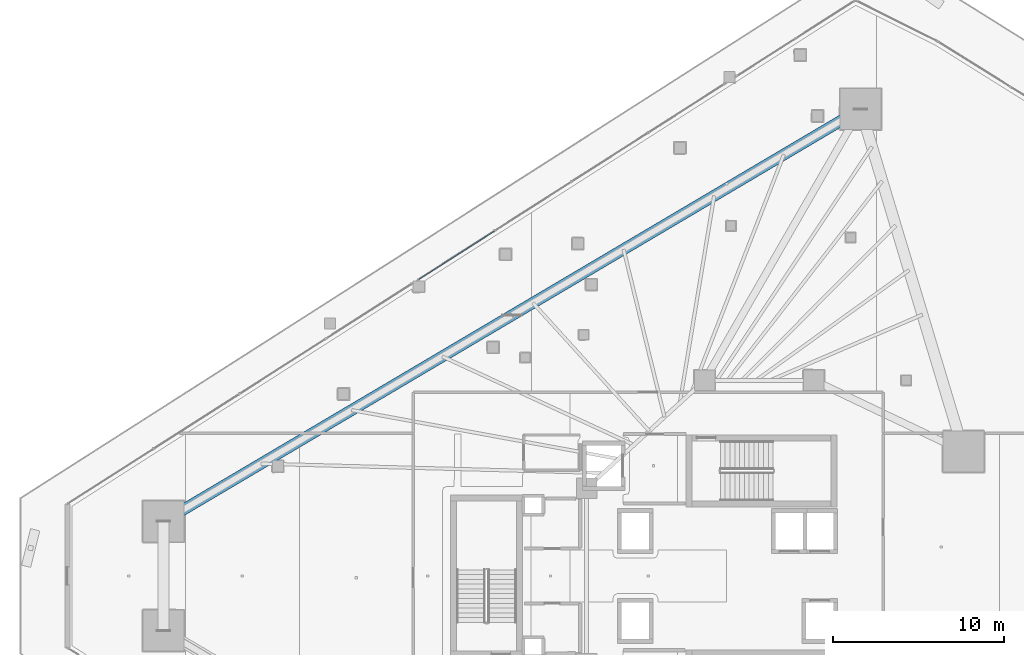
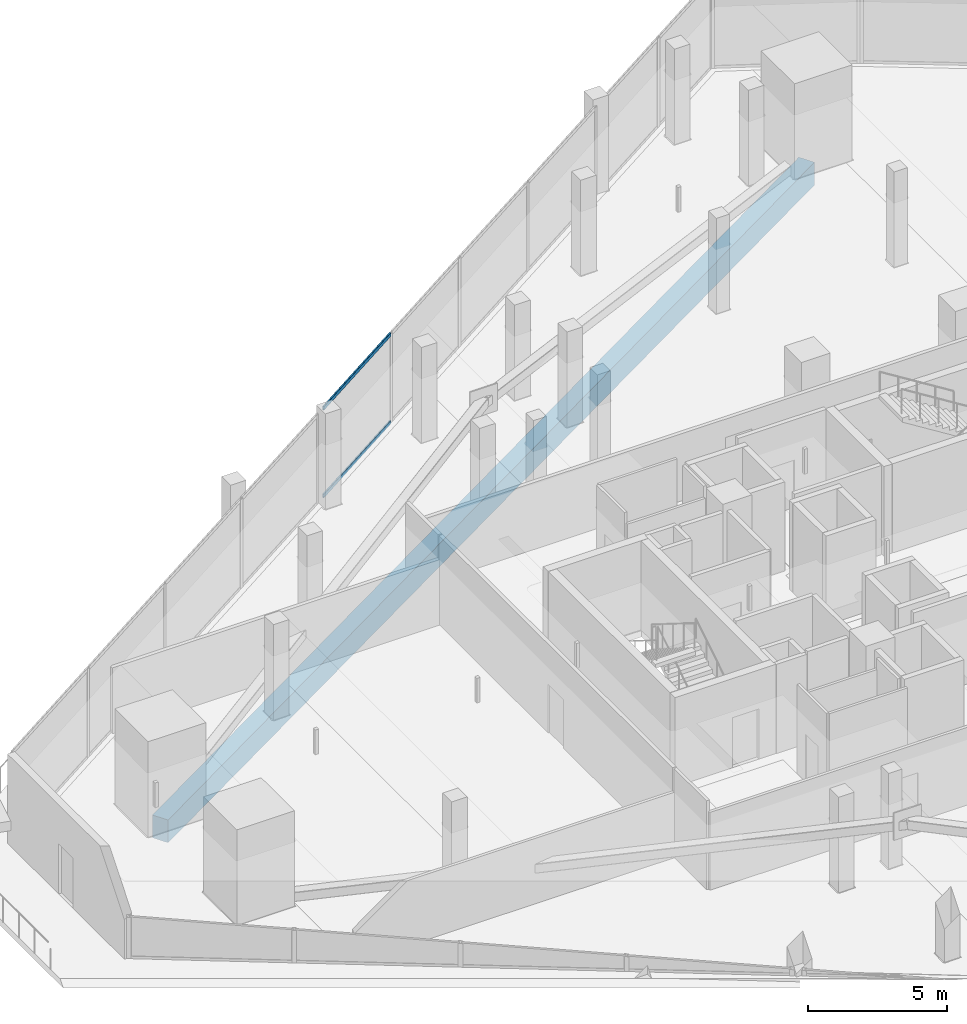
# One storey, part 17 of 43: 2 members, 1 beam, 1 element without a shape of its own.
"""IFC4 building model written with IfcOpenShell, lengths in metres."""

from ifc_helpers import new_model, si_unit, direction, frame, origin, origin_2d, place, context, subcontext, project, spatial, rectangle, hollow_rectangle, extrude, material, layer, layer_set, material_profile, profile_set, type_object, element, aggregate, save


model = new_model("IFC4")

# Units and contexts
model_context = context("Model", 3, precision=1e-05, world=origin(), true_north=direction((0.0, 1.0)))
body_context = subcontext(model_context, "Body", "Model", "MODEL_VIEW")
ifc_project = project(units=[si_unit("LENGTHUNIT", "METRE"), si_unit("AREAUNIT", "SQUARE_METRE"), si_unit("VOLUMEUNIT", "CUBIC_METRE"), si_unit("PLANEANGLEUNIT", "RADIAN"), si_unit("MASSUNIT", "GRAM", prefix="KILO")], contexts=[model_context])

# Site, building, storey
site_placement = place(None, origin())
site = spatial("IfcSite", under=ifc_project, at=site_placement, CompositionType="ELEMENT")
building_placement = place(site_placement, origin())
building = spatial("IfcBuilding", under=site, at=building_placement, Name="Qorvath Tower", CompositionType="ELEMENT")
storey_placement = place(building_placement, frame((0.0, 0.0, 36.60009765625)))
storey = spatial("IfcBuildingStorey", under=building, at=storey_placement, Name="L07", CompositionType="ELEMENT", Elevation=36.60009765625)

# Beam
ifc_material_1 = material(Name="Concrete C50/60", Category="concrete")
ifc_material_profile_1 = material_profile(ifc_material_1, rectangle(XDim=0.64990234375, YDim=1.0, at=origin_2d()), Name="RCB 1000x650")
ifc_profile_set_1 = profile_set([ifc_material_profile_1], Name="Concrete C50/60")
beam_type = type_object("IfcBeamType", Name="BM-RCB1", PredefinedType="SPANDREL", material=ifc_profile_set_1)
beam_placement = place(storey_placement, frame((-14.46435546875, 27.330810546875, -0.780029296875), z_axis=(-0.860777360917, -0.508981664633, 0.0), x_axis=(0.508981664633, -0.860777360917, 0.0)))
element("IfcBeam", 1, at=beam_placement, inside=storey, type_object=beam_type, Name="Perimeter Loggia Frame Beam MC6-MC1 L07", PredefinedType="SPANDREL", context=body_context, shape_type="SweptSolid", body=[
    extrude(rectangle(XDim=0.64990234375, YDim=1.0, at=origin_2d()), origin(), (0.0, 0.0, 1.0), 47.420654296875),
])

# Curtain wall, members
ifc_material_2 = material(Name="Anodised aluminium and triple low-E glass", Category="aluminium")
ifc_layer = layer(ifc_material_2, 0.179931640625)
ifc_layer_set = layer_set([ifc_layer], Name="CW-SYS-2")
curtain_wall_type = type_object("IfcCurtainWallType", Name="CW-SYS-2", PredefinedType="NOTDEFINED", material=ifc_layer_set)
curtain_wall_placement = place(storey_placement, origin())
curtain_wall = element("IfcCurtainWall", 2, at=curtain_wall_placement, inside=storey, type_object=curtain_wall_type, Name="Curtain Wall CW-2 CW-T-L07-16.2", PredefinedType="NOTDEFINED")
ifc_material_3 = material(Name="Anodised aluminium 6063-T6", Category="aluminium")
ifc_material_profile_2 = material_profile(ifc_material_3, hollow_rectangle(XDim=0.06494140625, YDim=0.159912109375, WallThickness=0.00341796875, InnerFilletRadius=0.00341796875, OuterFilletRadius=0.007080078125, at=origin_2d()), Name="CWT 160x65")
ifc_profile_set_2 = profile_set([ifc_material_profile_2], Name="Anodised aluminium 6063-T6")
member_type = type_object("IfcMemberType", Name="CWT-160", PredefinedType="USERDEFINED", material=ifc_profile_set_2)
member_1_placement = place(storey_placement, frame((-35.909912109375, 20.185791015625, 0.032470703125), z_axis=(-0.842592429827, -0.53855175907, 0.0), x_axis=(0.53855175907, -0.842592429827, 0.0)))
member_1 = element("IfcMember", 3, at=member_1_placement, type_object=member_type, Name="CW-2 transom 4.1", ObjectType="TRANSOM", PredefinedType="USERDEFINED", context=body_context, shape_type="SweptSolid", body=[
    extrude(hollow_rectangle(XDim=0.06494140625, YDim=0.159912109375, WallThickness=0.00341796875, InnerFilletRadius=0.00341796875, OuterFilletRadius=0.007080078125, at=origin_2d()), origin(), (0.0, 0.0, 1.0), 5.245849609375),
])
member_2_placement = place(storey_placement, frame((-35.909912109375, 20.185791015625, 3.887451171875), z_axis=(-0.842592429827, -0.53855175907, 0.0), x_axis=(0.53855175907, -0.842592429827, 0.0)))
member_2 = element("IfcMember", 4, at=member_2_placement, type_object=member_type, Name="CW-2 transom 4.2", ObjectType="TRANSOM", PredefinedType="USERDEFINED", context=body_context, shape_type="SweptSolid", body=[
    extrude(hollow_rectangle(XDim=0.06494140625, YDim=0.159912109375, WallThickness=0.00341796875, InnerFilletRadius=0.00341796875, OuterFilletRadius=0.007080078125, at=origin_2d()), origin(), (0.0, 0.0, 1.0), 5.245849609375),
])
aggregate(curtain_wall, [member_1, member_2])

save(model, "model.ifc")
